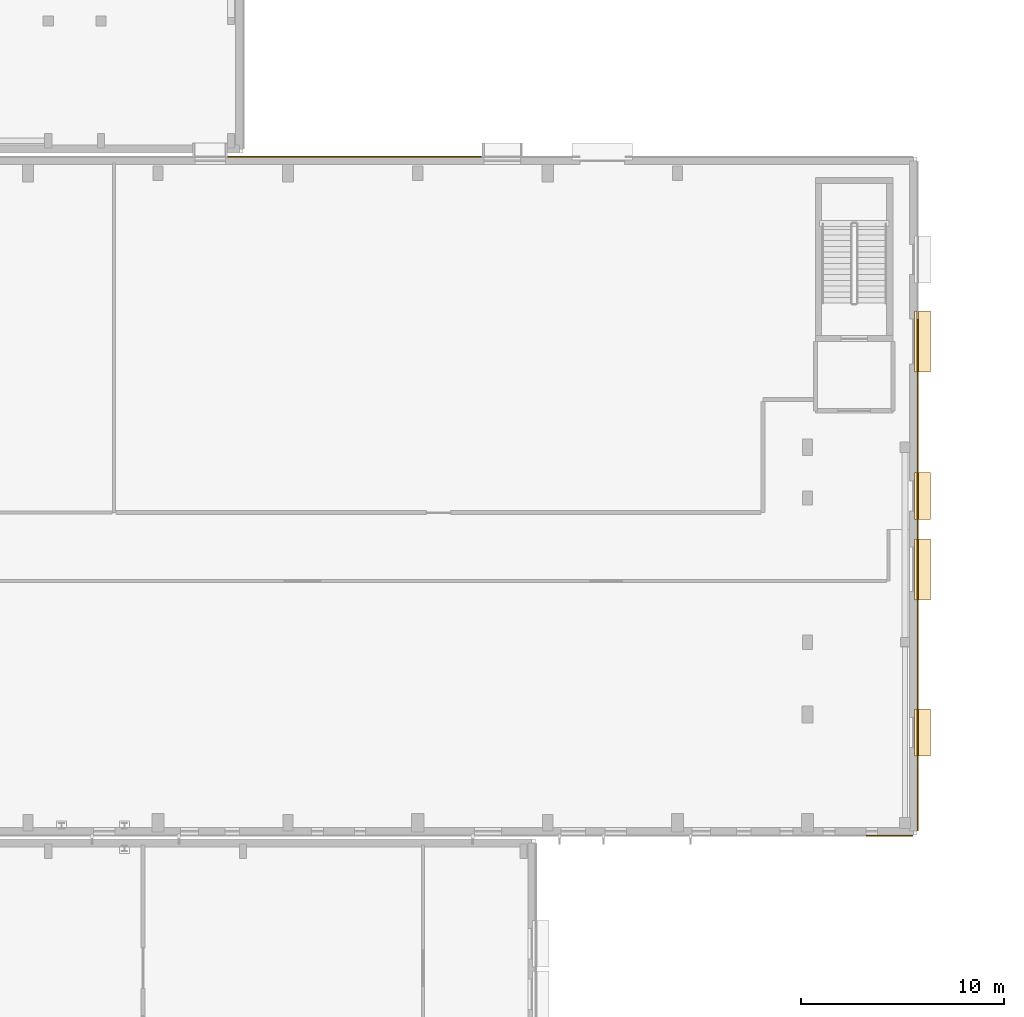
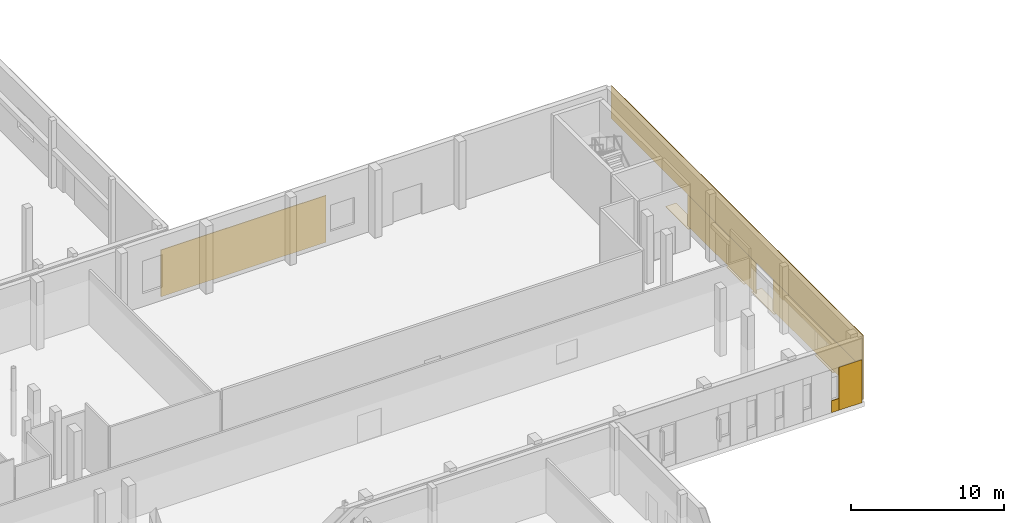
# One storey, part 81 of 84: 10 coverings.
"""IFC4 building model written with IfcOpenShell, lengths in metres."""

import ifcopenshell
import ifcopenshell.guid

model = None  # the IFC model being written
_history = None  # IfcOwnerHistory: only IFC2X3 demands one
_inside = {}  # id of a spatial element -> (the spatial element, [elements in it])
_under = {}  # id of a project, library or spatial element -> (it, [spatial elements below it])
_declared = {}  # id of a project -> (the project, [libraries it declares])
_typed = {}  # id of a type object -> (the type object, [elements of that type])
_made_of = {}  # id of a material, layer set ... -> (it, [elements and type objects made of it])


def new_model(schema):
    """Start an empty IFC model of exactly this schema.

    Asked for "IFC4X3", IfcOpenShell would pick the latest addendum, in which some entities
    have other attributes; the version numbers below select the first issue.
    IFC2X3 requires an IfcOwnerHistory on every rooted entity: one is made here for all.
    """
    global model, _history
    if schema == "IFC4X3":
        model = ifcopenshell.file(schema_version=(4, 3, 0, 0))
    else:
        model = ifcopenshell.file(schema=schema)
    _inside.clear()
    _under.clear()
    _declared.clear()
    _typed.clear()
    _made_of.clear()
    _history = None
    if model.schema == "IFC2X3":
        org = make("IfcOrganization", Name="unknown")
        user = make(
            "IfcPersonAndOrganization",
            ThePerson=make("IfcPerson", FamilyName="unknown"),
            TheOrganization=org,
        )
        app = make(
            "IfcApplication",
            ApplicationDeveloper=org,
            Version="unknown",
            ApplicationFullName="unknown",
            ApplicationIdentifier="unknown",
        )
        _history = make(
            "IfcOwnerHistory",
            OwningUser=user,
            OwningApplication=app,
            ChangeAction="ADDED",
            CreationDate=0,
        )
    return model


def make(cls, **values):
    """One entity of the class cls with the attributes given. An attribute that is None is left unset."""
    return model.create_entity(
        cls, **{name: value for name, value in values.items() if value is not None}
    )


def rooted(cls, **values):
    """An entity with a GlobalId (a new one), such as an element, a storey or a relation."""
    return make(cls, GlobalId=ifcopenshell.guid.new(), OwnerHistory=_history, **values)


def si_unit(unit_type, name, prefix=None):
    """IfcSIUnit, for example si_unit("LENGTHUNIT", "METRE", prefix="MILLI")."""
    return make("IfcSIUnit", UnitType=unit_type, Prefix=prefix, Name=name)


def assignment(units):
    """IfcUnitAssignment: the units of a project."""
    return None if units is None else make("IfcUnitAssignment", Units=units)


def point(xyz):
    """IfcCartesianPoint."""
    return None if xyz is None else make("IfcCartesianPoint", Coordinates=xyz)


def direction(xyz):
    """IfcDirection."""
    return None if xyz is None else make("IfcDirection", DirectionRatios=xyz)


def frame(location, z_axis=None, x_axis=None):
    """IfcAxis2Placement3D, a coordinate frame: its origin and axes. An axis left out is left unset."""
    return make(
        "IfcAxis2Placement3D",
        Location=point(location),
        Axis=direction(z_axis),
        RefDirection=direction(x_axis),
    )


def frame_2d(location, x_axis=None):
    """IfcAxis2Placement2D, a coordinate frame in the plane: its origin and x axis."""
    return make(
        "IfcAxis2Placement2D", Location=point(location), RefDirection=direction(x_axis)
    )


def origin():
    """The frame at (0, 0, 0) with its axes left unset."""
    return frame((0.0, 0.0, 0.0))


def origin_2d():
    """The frame at (0, 0) in the plane with its x axis left unset."""
    return frame_2d((0.0, 0.0))


def place(relative_to, where):
    """IfcLocalPlacement: puts the frame where relative to a parent placement (None: the world)."""
    return make(
        "IfcLocalPlacement", PlacementRelTo=relative_to, RelativePlacement=where
    )


def context(
    kind, dimensions, precision=None, world=None, true_north=None, identifier=None
):
    """IfcGeometricRepresentationContext, for example the 3D "Model" context."""
    return make(
        "IfcGeometricRepresentationContext",
        ContextIdentifier=identifier,
        ContextType=kind,
        CoordinateSpaceDimension=dimensions,
        Precision=precision,
        WorldCoordinateSystem=world,
        TrueNorth=true_north,
    )


def subcontext(parent, identifier, kind, view, scale=None):
    """IfcGeometricRepresentationSubContext, for example "Body" below "Model"."""
    return make(
        "IfcGeometricRepresentationSubContext",
        ContextIdentifier=identifier,
        ContextType=kind,
        ParentContext=parent,
        TargetScale=scale,
        TargetView=view,
    )


def project(units=None, contexts=None):
    """IfcProject with its units and contexts."""
    return rooted(
        "IfcProject",
        Name="project",
        RepresentationContexts=contexts,
        UnitsInContext=assignment(units),
    )


def spatial(cls, under=None, at=None, **own):
    """A site, building, storey or space (cls), placed at a placement, below another one or the project."""
    s = rooted(cls, ObjectPlacement=at, **own)
    if under is not None:
        _under.setdefault(under.id(), (under, []))[1].append(s)
    return s


def profile(cls, at=None, kind="AREA", **sizes):
    """A parametric profile (cls). Its sizes go by their IFC names, for example OverallWidth=200.0."""
    return make(cls, ProfileType=kind, Position=at, **sizes)


def rectangle(**sizes):
    """IfcRectangleProfileDef."""
    return profile("IfcRectangleProfileDef", **sizes)


def extrude(swept, where, along, depth):
    """IfcExtrudedAreaSolid: the profile swept, set in the frame where, extruded along a direction by depth."""
    return make(
        "IfcExtrudedAreaSolid",
        SweptArea=swept,
        Position=where,
        ExtrudedDirection=direction(along),
        Depth=depth,
    )


def shape(context_of_items, identifier, shape_type, items):
    """IfcShapeRepresentation: the items that make up one representation, for example the "Body"."""
    return make(
        "IfcShapeRepresentation",
        ContextOfItems=context_of_items,
        RepresentationIdentifier=identifier,
        RepresentationType=shape_type,
        Items=items,
    )


def material(Name=None, Category=None):
    """IfcMaterial."""
    return make("IfcMaterial", Name=Name, Category=Category)


def layer(
    of_material, thickness, ventilated=None, Name=None, Category=None, Priority=None
):
    """IfcMaterialLayer: one layer of a wall or slab, of a material (None: an air gap)."""
    return make(
        "IfcMaterialLayer",
        Material=of_material,
        LayerThickness=thickness,
        IsVentilated=ventilated,
        Name=Name,
        Category=Category,
        Priority=Priority,
    )


def layer_set(layers, Name=None):
    """IfcMaterialLayerSet."""
    return make("IfcMaterialLayerSet", MaterialLayers=layers, LayerSetName=Name)


def made_of(thing, what):
    """Note that an element or type object is made of a material, layer set ...; save() writes the relation."""
    if what is not None:
        _made_of.setdefault(what.id(), (what, []))[1].append(thing)
    return thing


def type_object(cls, material=None, **own):
    """A type object (cls), such as IfcWallType, which elements share."""
    return made_of(rooted(cls, **own), material)


def element(
    cls,
    number,
    at=None,
    inside=None,
    cuts=None,
    type_object=None,
    material=None,
    context=None,
    identifier="Body",
    shape_type=None,
    held_by="IfcProductDefinitionShape",
    body=None,
    shapes=None,
    **own,
):
    """One element of the class cls, such as IfcWall. Its Tag is "e" and its number.

    at: its placement. inside: the storey or other place that contains it. cuts: it is an
    opening in that element (IfcRelVoidsElement). A single representation is given by context,
    identifier, shape_type and body (its items); several are given by shapes. held_by: the class
    of the entity that holds the representations. save() writes the other relations.
    """
    e = rooted(cls, Tag="e%d" % number, ObjectPlacement=at, **own)
    if body is not None:
        shapes = [shape(context, identifier, shape_type, body)]
    if shapes is not None:
        e.Representation = make(held_by, Representations=shapes)
    if inside is not None:
        _inside.setdefault(inside.id(), (inside, []))[1].append(e)
    if cuts is not None:
        rooted(
            "IfcRelVoidsElement", RelatingBuildingElement=cuts, RelatedOpeningElement=e
        )
    if type_object is not None:
        _typed.setdefault(type_object.id(), (type_object, []))[1].append(e)
    return made_of(e, material)


def aggregate(whole, parts):
    """IfcRelAggregates: a whole, such as a stair, and the parts it consists of."""
    return rooted("IfcRelAggregates", RelatingObject=whole, RelatedObjects=parts)


def save(model, path):
    """Write the relations noted so far, then the file.

    IfcRelAggregates (storeys below a building ...), IfcRelContainedInSpatialStructure (elements
    in a storey), IfcRelDefinesByType, IfcRelAssociatesMaterial and IfcRelDeclares: one each for
    every whole, place, type object, material and project.
    """
    for whole, parts in _under.values():
        aggregate(whole, parts)
    for where, things in _inside.values():
        rooted(
            "IfcRelContainedInSpatialStructure",
            RelatedElements=things,
            RelatingStructure=where,
        )
    for kind, things in _typed.values():
        rooted("IfcRelDefinesByType", RelatedObjects=things, RelatingType=kind)
    for what, things in _made_of.values():
        rooted("IfcRelAssociatesMaterial", RelatedObjects=things, RelatingMaterial=what)
    for by, libraries in _declared.values():
        rooted("IfcRelDeclares", RelatingContext=by, RelatedDefinitions=libraries)
    model.write(path)


model = new_model("IFC4")

# Units and contexts
model_context = context("Model", 3, precision=1e-05, world=origin(), true_north=direction((0.0, 1.0)))
body_context = subcontext(model_context, "Body", "Model", "MODEL_VIEW")
ifc_project = project(units=[si_unit("LENGTHUNIT", "METRE"), si_unit("AREAUNIT", "SQUARE_METRE"), si_unit("VOLUMEUNIT", "CUBIC_METRE"), si_unit("PLANEANGLEUNIT", "RADIAN"), si_unit("MASSUNIT", "GRAM", prefix="KILO")], contexts=[model_context])

# Site, building, storey
site_placement = place(None, origin())
site = spatial("IfcSite", under=ifc_project, at=site_placement, CompositionType="ELEMENT")
building_placement = place(site_placement, origin())
building = spatial("IfcBuilding", under=site, at=building_placement, Name="Mzevani Central Library", CompositionType="ELEMENT")
storey_placement = place(building_placement, origin())
storey = spatial("IfcBuildingStorey", under=building, at=storey_placement, Name="L00", CompositionType="ELEMENT", Elevation=0.0)

# Coverings
ifc_material_1 = material(Name="Limestone ashlar cladding", Category="masonry")
ifc_layer_1 = layer(ifc_material_1, 0.050048828125, Name="Limestone Ashlar Spandrel Cladding")
ifc_layer_set_1 = layer_set([ifc_layer_1], Name="Limestone ashlar cladding")
covering_type_1 = type_object("IfcCoveringType", Name="Limestone Ashlar Spandrel Cladding", PredefinedType="CLADDING", material=ifc_layer_set_1)
covering_1_placement = place(storey_placement, frame((164.424072265625, 59.199951171875, 2.5), z_axis=(0.0, 0.0, 1.0), x_axis=(0.0, -1.0, 0.0)))
element("IfcCovering", 1, at=covering_1_placement, inside=storey, type_object=covering_type_1, Name="L00 Warm-White Facade Spandrel (EW4-V1-L00-0001)", PredefinedType="CLADDING", context=body_context, shape_type="SweptSolid", body=[
    extrude(rectangle(XDim=32.97998046875, YDim=0.050048828125, at=origin_2d()), origin(), (0.0, 0.0, 1.0), 2.639892578125),
])
covering_2_placement = place(storey_placement, frame((164.424072265625, 61.199951171875, 0.0), z_axis=(0.0, 0.0, 1.0), x_axis=(0.0, -1.0, 0.0)))
element("IfcCovering", 2, at=covering_2_placement, inside=storey, type_object=covering_type_1, Name="L00 Warm-White Facade Pier 2 (EW4-V1-L00-0001)", PredefinedType="CLADDING", context=body_context, shape_type="SweptSolid", body=[
    extrude(rectangle(XDim=8.98681640625, YDim=0.050048828125, at=origin_2d()), origin(), (0.0, 0.0, 1.0), 2.5),
])
covering_3_placement = place(storey_placement, frame((164.424072265625, 48.58837890625, 0.0), z_axis=(0.0, 0.0, 1.0), x_axis=(0.0, -1.0, 0.0)))
element("IfcCovering", 3, at=covering_3_placement, inside=storey, type_object=covering_type_1, Name="L00 Warm-White Facade Pier 3 (EW4-V1-L00-0001)", PredefinedType="CLADDING", context=body_context, shape_type="SweptSolid", body=[
    extrude(rectangle(XDim=11.756591796875, YDim=0.050048828125, at=origin_2d()), origin(), (0.0, 0.0, 1.0), 2.5),
])
covering_4_placement = place(storey_placement, frame((163.322509765625, 42.47607421875, 0.0), z_axis=(0.0, 0.0, 1.0), x_axis=(-1.0, 0.0, 0.0)))
element("IfcCovering", 4, at=covering_4_placement, inside=storey, type_object=covering_type_1, Name="L00 Warm-White Facade Pier 1 (EW4-V1-L00-0002)", PredefinedType="CLADDING", context=body_context, shape_type="SweptSolid", body=[
    extrude(rectangle(XDim=1.735107421875, YDim=0.050048828125, at=origin_2d()), origin(), (0.0, 0.0, 1.0), 3.449951171875),
])
covering_5_placement = place(storey_placement, frame((162.159912109375, 42.47607421875, 0.0), z_axis=(0.0, 0.0, 1.0), x_axis=(-1.0, 0.0, 0.0)))
element("IfcCovering", 5, at=covering_5_placement, inside=storey, type_object=covering_type_1, Name="L00 Warm-White Sill Cladding 2 (EW4-V1-L00-0002)", PredefinedType="CLADDING", context=body_context, shape_type="SweptSolid", body=[
    extrude(rectangle(XDim=0.550048828125, YDim=0.050048828125, at=origin_2d()), origin(), (0.0, 0.0, 1.0), 0.949951171875),
])
covering_6_placement = place(storey_placement, frame((136.6904296875, 75.924072265625, 0.0), z_axis=(0.0, 0.0, 1.0), x_axis=(1.0, 0.0, 0.0)))
element("IfcCovering", 6, at=covering_6_placement, inside=storey, type_object=covering_type_1, Name="L00 Warm-White Facade Pier 3 (EW4-V1-L00-0005)", PredefinedType="CLADDING", context=body_context, shape_type="SweptSolid", body=[
    extrude(rectangle(XDim=12.506591796875, YDim=0.050048828125, at=origin_2d()), origin(), (0.0, 0.0, 1.0), 3.75),
])
ifc_material_2 = material(Name="Terrazzo stone flooring", Category="masonry")
ifc_layer_2 = layer(ifc_material_2, 0.030029296875, Name="Terrazzo Stone Floor Finish")
ifc_layer_set_2 = layer_set([ifc_layer_2], Name="Terrazzo stone flooring")
covering_type_2 = type_object("IfcCoveringType", Name="Terrazzo Stone Floor Finish", PredefinedType="FLOORING", material=ifc_layer_set_2)
covering_7_placement = place(storey_placement, frame((164.659912109375, 59.199951171875, -0.0400390625), z_axis=(0.0, 0.0, 1.0), x_axis=(0.0, -1.0, 0.0)))
element("IfcCovering", 7, at=covering_7_placement, inside=storey, type_object=covering_type_2, Name="L00 V1 Protected Exit Corridor Final Discharge Apron", PredefinedType="FLOORING", context=body_context, shape_type="SweptSolid", body=[
    extrude(rectangle(XDim=2.300048828125, YDim=0.800048828125, at=origin_2d()), origin(), (0.0, 0.0, 1.0), 0.0400390625),
])
for number, where, z_axis, x_axis, name in (
    (8, (164.659912109375, 66.8134765625, -0.0400390625), (0.0, 0.0, 1.0), (0.0, -1.0, 0.0), "L00 V1 Exterior Entrance Threshold Apron (2)"),
    (9, (164.659912109375, 55.586669921875, -0.0400390625), (0.0, 0.0, 1.0), (0.0, -1.0, 0.0), "L00 V1 Exterior Entrance Threshold Apron (3)"),
):
    element("IfcCovering", number, at=place(storey_placement, frame(where, z_axis=z_axis, x_axis=x_axis)), inside=storey, type_object=covering_type_2, Name=name, PredefinedType="FLOORING", context=body_context, shape_type="SweptSolid", body=[
        extrude(rectangle(XDim=3.0, YDim=0.800048828125, at=origin_2d()), origin(), (0.0, 0.0, 1.0), 0.0400390625),
    ])
covering_8_placement = place(storey_placement, frame((164.659912109375, 47.550048828125, -0.0400390625), z_axis=(0.0, 0.0, 1.0), x_axis=(0.0, -1.0, 0.0)))
element("IfcCovering", 10, at=covering_8_placement, inside=storey, type_object=covering_type_2, Name="L00 ST-01 Final Exit Discharge Apron", PredefinedType="FLOORING", context=body_context, shape_type="SweptSolid", body=[
    extrude(rectangle(XDim=2.300048828125, YDim=0.800048828125, at=origin_2d()), origin(), (0.0, 0.0, 1.0), 0.0400390625),
])

save(model, "model.ifc")
